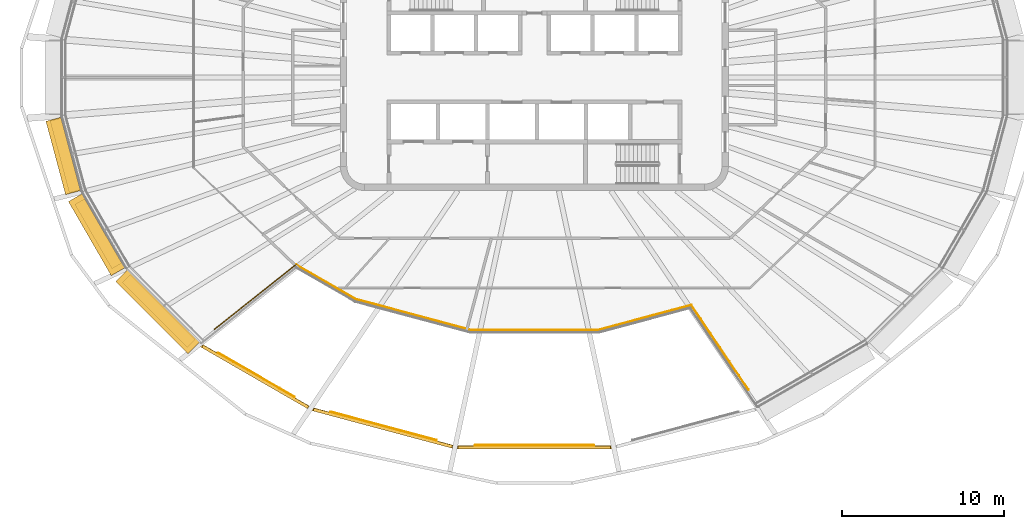
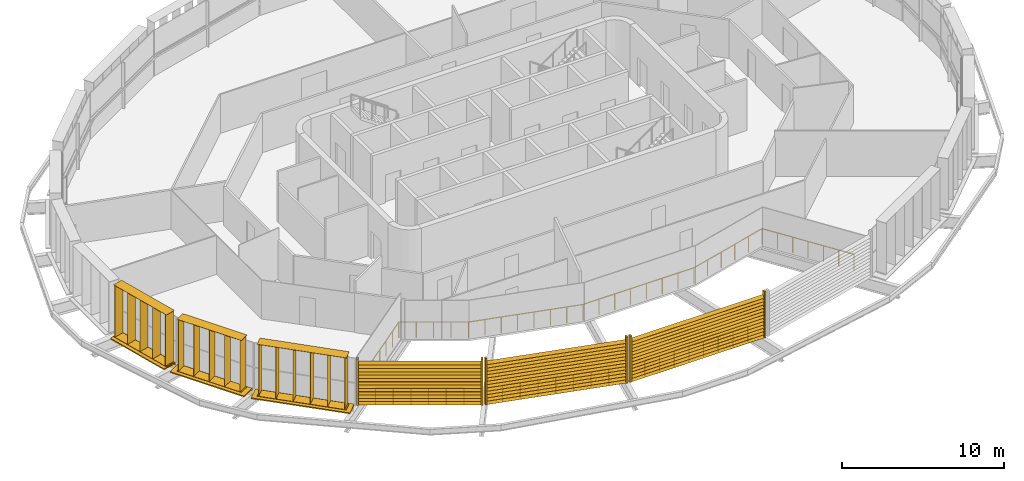
# One storey, part 14 of 19: 9 shading devices, 5 railings.
"""IFC4 building model written with IfcOpenShell, lengths in metres."""

from ifc_helpers import new_model, si_unit, direction, frame, origin, origin_2d, place, context, subcontext, project, spatial, rectangle, circle, extrude, material, type_object, element, save


model = new_model("IFC4")

# Units and contexts
model_context = context("Model", 3, precision=1e-05, world=origin(), true_north=direction((0.0, 1.0)))
body_context = subcontext(model_context, "Body", "Model", "MODEL_VIEW")
ifc_project = project(units=[si_unit("LENGTHUNIT", "METRE"), si_unit("AREAUNIT", "SQUARE_METRE"), si_unit("VOLUMEUNIT", "CUBIC_METRE"), si_unit("PLANEANGLEUNIT", "RADIAN"), si_unit("MASSUNIT", "GRAM", prefix="KILO")], contexts=[model_context])

# Site, building, storey
site_placement = place(None, origin())
site = spatial("IfcSite", under=ifc_project, at=site_placement, CompositionType="ELEMENT")
building_placement = place(site_placement, origin())
building = spatial("IfcBuilding", under=site, at=building_placement, Name="Sahrelin Media Tower", CompositionType="ELEMENT")
storey_placement = place(building_placement, frame((0.0, 0.0, 279.0)))
storey = spatial("IfcBuildingStorey", under=building, at=storey_placement, Name="L61", CompositionType="ELEMENT", Elevation=279.0)

# Shading devices
ifc_material_1 = material(Name="Champagne anodised aluminium 6063-T6", Category="aluminium")
shading_device_type_1 = type_object("IfcShadingDeviceType", Name="Fin cassette", PredefinedType="USERDEFINED", material=ifc_material_1)
placement_1 = place(storey_placement, frame((-28.601318359375, -4.712646484375, 0.0), z_axis=(0.0, 0.0, 1.0), x_axis=(-0.258807731996, 0.965928857556, 0.0)))
element("IfcShadingDevice", 1, at=placement_1, inside=storey, type_object=shading_device_type_1, Name="L61:FIN:L61-13", ObjectType="FIN", PredefinedType="USERDEFINED", context=body_context, shape_type="SweptSolid", body=[
    extrude(rectangle(XDim=4.60009765625, YDim=0.699951171875, at=origin_2d()), frame((0.0, 0.419921875, 0.0)), (0.0, 0.0, 1.0), 0.02001953125),
    extrude(rectangle(XDim=4.60009765625, YDim=0.699951171875, at=origin_2d()), frame((0.0, 0.419921875, 3.89990234375)), (0.0, 0.0, 1.0), 0.02001953125),
    extrude(rectangle(XDim=0.02001953125, YDim=0.699951171875, at=origin_2d()), frame((-2.199951171875, 0.419921875, 0.010009765625), z_axis=(0.0, 0.0, 1.0), x_axis=(1.0, 0.0, 0.0)), (0.0, 0.0, 1.0), 3.89990234375),
    extrude(rectangle(XDim=0.02001953125, YDim=0.699951171875, at=origin_2d()), frame((-1.10009765625, 0.419921875, 0.010009765625), z_axis=(0.0, 0.0, 1.0), x_axis=(1.0, 0.0, 0.0)), (0.0, 0.0, 1.0), 3.89990234375),
    extrude(rectangle(XDim=0.02001953125, YDim=0.699951171875, at=origin_2d()), frame((0.0, 0.419921875, 0.010009765625), z_axis=(0.0, 0.0, 1.0), x_axis=(1.0, 0.0, 0.0)), (0.0, 0.0, 1.0), 3.89990234375),
    extrude(rectangle(XDim=0.02001953125, YDim=0.699951171875, at=origin_2d()), frame((1.10009765625, 0.419921875, 0.010009765625), z_axis=(0.0, 0.0, 1.0), x_axis=(1.0, 0.0, 0.0)), (0.0, 0.0, 1.0), 3.89990234375),
    extrude(rectangle(XDim=0.02001953125, YDim=0.699951171875, at=origin_2d()), frame((2.199951171875, 0.419921875, 0.010009765625), z_axis=(0.0, 0.0, 1.0), x_axis=(1.0, 0.0, 0.0)), (0.0, 0.0, 1.0), 3.89990234375),
])
placement_2 = place(storey_placement, frame((-26.595703125, -9.452392578125, 0.0), z_axis=(0.0, 0.0, 1.0), x_axis=(-0.500011000363, 0.866019052629, 0.0)))
element("IfcShadingDevice", 2, at=placement_2, inside=storey, type_object=shading_device_type_1, Name="L61:FIN:L61-14", ObjectType="FIN", PredefinedType="USERDEFINED", context=body_context, shape_type="SweptSolid", body=[
    extrude(rectangle(XDim=4.60009765625, YDim=0.699951171875, at=origin_2d()), frame((0.0, 0.419921875, 0.0)), (0.0, 0.0, 1.0), 0.02001953125),
    extrude(rectangle(XDim=4.60009765625, YDim=0.699951171875, at=origin_2d()), frame((0.0, 0.419921875, 3.89990234375)), (0.0, 0.0, 1.0), 0.02001953125),
    extrude(rectangle(XDim=0.02001953125, YDim=0.699951171875, at=origin_2d()), frame((-2.199951171875, 0.419921875, 0.010009765625), z_axis=(0.0, 0.0, 1.0), x_axis=(1.0, 0.0, 0.0)), (0.0, 0.0, 1.0), 3.89990234375),
    extrude(rectangle(XDim=0.02001953125, YDim=0.699951171875, at=origin_2d()), frame((-1.10009765625, 0.419921875, 0.010009765625), z_axis=(0.0, 0.0, 1.0), x_axis=(1.0, 0.0, 0.0)), (0.0, 0.0, 1.0), 3.89990234375),
    extrude(rectangle(XDim=0.02001953125, YDim=0.699951171875, at=origin_2d()), frame((0.0, 0.419921875, 0.010009765625), z_axis=(0.0, 0.0, 1.0), x_axis=(1.0, 0.0, 0.0)), (0.0, 0.0, 1.0), 3.89990234375),
    extrude(rectangle(XDim=0.02001953125, YDim=0.699951171875, at=origin_2d()), frame((1.10009765625, 0.419921875, 0.010009765625), z_axis=(0.0, 0.0, 1.0), x_axis=(1.0, 0.0, 0.0)), (0.0, 0.0, 1.0), 3.89990234375),
    extrude(rectangle(XDim=0.02001953125, YDim=0.699951171875, at=origin_2d()), frame((2.199951171875, 0.419921875, 0.010009765625), z_axis=(0.0, 0.0, 1.0), x_axis=(1.0, 0.0, 0.0)), (0.0, 0.0, 1.0), 3.89990234375),
])
placement_3 = place(storey_placement, frame((-22.919189453125, -14.133544921875, 0.0), z_axis=(0.0, 0.0, 1.0), x_axis=(-0.707106781187, 0.707106781187, 0.0)))
element("IfcShadingDevice", 3, at=placement_3, inside=storey, type_object=shading_device_type_1, Name="L61:FIN:L61-15", ObjectType="FIN", PredefinedType="USERDEFINED", context=body_context, shape_type="SweptSolid", body=[
    extrude(rectangle(XDim=5.699951171875, YDim=0.699951171875, at=origin_2d()), frame((0.0, 0.419921875, 0.0)), (0.0, 0.0, 1.0), 0.02001953125),
    extrude(rectangle(XDim=5.699951171875, YDim=0.699951171875, at=origin_2d()), frame((0.0, 0.419921875, 3.89990234375)), (0.0, 0.0, 1.0), 0.02001953125),
    extrude(rectangle(XDim=0.02001953125, YDim=0.699951171875, at=origin_2d()), frame((-2.75, 0.419921875, 0.010009765625), z_axis=(0.0, 0.0, 1.0), x_axis=(1.0, 0.0, 0.0)), (0.0, 0.0, 1.0), 3.89990234375),
    extrude(rectangle(XDim=0.02001953125, YDim=0.699951171875, at=origin_2d()), frame((-1.64990234375, 0.419921875, 0.010009765625), z_axis=(0.0, 0.0, 1.0), x_axis=(1.0, 0.0, 0.0)), (0.0, 0.0, 1.0), 3.89990234375),
    extrude(rectangle(XDim=0.02001953125, YDim=0.699951171875, at=origin_2d()), frame((-0.550048828125, 0.419921875, 0.010009765625), z_axis=(0.0, 0.0, 1.0), x_axis=(1.0, 0.0, 0.0)), (0.0, 0.0, 1.0), 3.89990234375),
    extrude(rectangle(XDim=0.02001953125, YDim=0.699951171875, at=origin_2d()), frame((0.550048828125, 0.419921875, 0.010009765625), z_axis=(0.0, 0.0, 1.0), x_axis=(1.0, 0.0, 0.0)), (0.0, 0.0, 1.0), 3.89990234375),
    extrude(rectangle(XDim=0.02001953125, YDim=0.699951171875, at=origin_2d()), frame((1.64990234375, 0.419921875, 0.010009765625), z_axis=(0.0, 0.0, 1.0), x_axis=(1.0, 0.0, 0.0)), (0.0, 0.0, 1.0), 3.89990234375),
    extrude(rectangle(XDim=0.02001953125, YDim=0.699951171875, at=origin_2d()), frame((2.75, 0.419921875, 0.010009765625), z_axis=(0.0, 0.0, 1.0), x_axis=(1.0, 0.0, 0.0)), (0.0, 0.0, 1.0), 3.89990234375),
])
shading_device_type_2 = type_object("IfcShadingDeviceType", Name="Garden screen", PredefinedType="USERDEFINED", material=ifc_material_1)
shading_device_4_placement = place(storey_placement, frame((-17.198974609375, -18.41015625, 0.0), z_axis=(0.0, 0.0, 1.0), x_axis=(-0.866019052629, 0.500011000363, 0.0)))
element("IfcShadingDevice", 4, at=shading_device_4_placement, inside=storey, type_object=shading_device_type_2, Name="L61:SCREEN:L61-16", ObjectType="SCREEN", PredefinedType="USERDEFINED", context=body_context, shape_type="SweptSolid", body=[
    extrude(rectangle(XDim=0.1201171875, YDim=0.199951171875, at=origin_2d()), frame((3.834716796875, 0.10009765625, 0.050048828125), z_axis=(0.0, 0.0, 1.0), x_axis=(1.0, 0.0, 0.0)), (0.0, 0.0, 1.0), 3.49853515625),
    extrude(rectangle(XDim=0.1201171875, YDim=0.199951171875, at=origin_2d()), frame((-3.834716796875, 0.10009765625, 0.050048828125), z_axis=(0.0, 0.0, 1.0), x_axis=(1.0, 0.0, 0.0)), (0.0, 0.0, 1.0), 3.49853515625),
    extrude(rectangle(XDim=0.25, YDim=0.02001953125, at=origin_2d()), frame((3.774658203125, 0.10009765625, 0.14990234375), z_axis=(-1.0, 0.0, 0.0), x_axis=(0.0, -0.766044443119, 0.642787609687)), (0.0, 0.0, 1.0), 7.54931640625),
    extrude(rectangle(XDim=0.25, YDim=0.02001953125, at=origin_2d()), frame((3.774658203125, 0.10009765625, 0.39990234375), z_axis=(-1.0, 0.0, 0.0), x_axis=(0.0, -0.766044443119, 0.642787609687)), (0.0, 0.0, 1.0), 7.54931640625),
    extrude(rectangle(XDim=0.25, YDim=0.02001953125, at=origin_2d()), frame((3.774658203125, 0.10009765625, 0.64990234375), z_axis=(-1.0, 0.0, 0.0), x_axis=(0.0, -0.766044443119, 0.642787609687)), (0.0, 0.0, 1.0), 7.54931640625),
    extrude(rectangle(XDim=0.25, YDim=0.02001953125, at=origin_2d()), frame((3.774658203125, 0.10009765625, 0.89990234375), z_axis=(-1.0, 0.0, 0.0), x_axis=(0.0, -0.766044443119, 0.642787609687)), (0.0, 0.0, 1.0), 7.54931640625),
    extrude(rectangle(XDim=0.25, YDim=0.02001953125, at=origin_2d()), frame((3.774658203125, 0.10009765625, 1.14990234375), z_axis=(-1.0, 0.0, 0.0), x_axis=(0.0, -0.766044443119, 0.642787609687)), (0.0, 0.0, 1.0), 7.54931640625),
    extrude(rectangle(XDim=0.25, YDim=0.02001953125, at=origin_2d()), frame((3.774658203125, 0.10009765625, 1.39990234375), z_axis=(-1.0, 0.0, 0.0), x_axis=(0.0, -0.766044443119, 0.642787609687)), (0.0, 0.0, 1.0), 7.54931640625),
    extrude(rectangle(XDim=0.25, YDim=0.02001953125, at=origin_2d()), frame((3.774658203125, 0.10009765625, 1.64990234375), z_axis=(-1.0, 0.0, 0.0), x_axis=(0.0, -0.766044443119, 0.642787609687)), (0.0, 0.0, 1.0), 7.54931640625),
    extrude(rectangle(XDim=0.25, YDim=0.02001953125, at=origin_2d()), frame((3.774658203125, 0.10009765625, 1.89990234375), z_axis=(-1.0, 0.0, 0.0), x_axis=(0.0, -0.766044443119, 0.642787609687)), (0.0, 0.0, 1.0), 7.54931640625),
    extrude(rectangle(XDim=0.25, YDim=0.02001953125, at=origin_2d()), frame((3.774658203125, 0.10009765625, 2.14990234375), z_axis=(-1.0, 0.0, 0.0), x_axis=(0.0, -0.766044443119, 0.642787609687)), (0.0, 0.0, 1.0), 7.54931640625),
    extrude(rectangle(XDim=0.25, YDim=0.02001953125, at=origin_2d()), frame((3.774658203125, 0.10009765625, 2.39990234375), z_axis=(-1.0, 0.0, 0.0), x_axis=(0.0, -0.766044443119, 0.642787609687)), (0.0, 0.0, 1.0), 7.54931640625),
    extrude(rectangle(XDim=0.25, YDim=0.02001953125, at=origin_2d()), frame((3.774658203125, 0.10009765625, 2.64990234375), z_axis=(-1.0, 0.0, 0.0), x_axis=(0.0, -0.766044443119, 0.642787609687)), (0.0, 0.0, 1.0), 7.54931640625),
    extrude(rectangle(XDim=0.25, YDim=0.02001953125, at=origin_2d()), frame((3.774658203125, 0.10009765625, 2.89990234375), z_axis=(-1.0, 0.0, 0.0), x_axis=(0.0, -0.766044443119, 0.642787609687)), (0.0, 0.0, 1.0), 7.54931640625),
    extrude(rectangle(XDim=0.25, YDim=0.02001953125, at=origin_2d()), frame((3.774658203125, 0.10009765625, 3.14990234375), z_axis=(-1.0, 0.0, 0.0), x_axis=(0.0, -0.766044443119, 0.642787609687)), (0.0, 0.0, 1.0), 7.54931640625),
])
shading_device_5_placement = place(storey_placement, frame((-9.3359375, -21.573974609375, 0.0), z_axis=(0.0, 0.0, 1.0), x_axis=(-0.965928857556, 0.258807731996, 0.0)))
element("IfcShadingDevice", 5, at=shading_device_5_placement, inside=storey, type_object=shading_device_type_2, Name="L61:SCREEN:L61-17", ObjectType="SCREEN", PredefinedType="USERDEFINED", context=body_context, shape_type="SweptSolid", body=[
    extrude(rectangle(XDim=0.1201171875, YDim=0.199951171875, at=origin_2d()), frame((4.493896484375, 0.10009765625, 0.050048828125), z_axis=(0.0, 0.0, 1.0), x_axis=(1.0, 0.0, 0.0)), (0.0, 0.0, 1.0), 3.49853515625),
    extrude(rectangle(XDim=0.1201171875, YDim=0.199951171875, at=origin_2d()), frame((-4.493896484375, 0.10009765625, 0.050048828125), z_axis=(0.0, 0.0, 1.0), x_axis=(1.0, 0.0, 0.0)), (0.0, 0.0, 1.0), 3.49853515625),
    extrude(rectangle(XDim=0.25, YDim=0.02001953125, at=origin_2d()), frame((4.433837890625, 0.10009765625, 0.14990234375), z_axis=(-1.0, 0.0, 0.0), x_axis=(0.0, -0.766044443119, 0.642787609687)), (0.0, 0.0, 1.0), 8.86767578125),
    extrude(rectangle(XDim=0.25, YDim=0.02001953125, at=origin_2d()), frame((4.433837890625, 0.10009765625, 0.39990234375), z_axis=(-1.0, 0.0, 0.0), x_axis=(0.0, -0.766044443119, 0.642787609687)), (0.0, 0.0, 1.0), 8.86767578125),
    extrude(rectangle(XDim=0.25, YDim=0.02001953125, at=origin_2d()), frame((4.433837890625, 0.10009765625, 0.64990234375), z_axis=(-1.0, 0.0, 0.0), x_axis=(0.0, -0.766044443119, 0.642787609687)), (0.0, 0.0, 1.0), 8.86767578125),
    extrude(rectangle(XDim=0.25, YDim=0.02001953125, at=origin_2d()), frame((4.433837890625, 0.10009765625, 0.89990234375), z_axis=(-1.0, 0.0, 0.0), x_axis=(0.0, -0.766044443119, 0.642787609687)), (0.0, 0.0, 1.0), 8.86767578125),
    extrude(rectangle(XDim=0.25, YDim=0.02001953125, at=origin_2d()), frame((4.433837890625, 0.10009765625, 1.14990234375), z_axis=(-1.0, 0.0, 0.0), x_axis=(0.0, -0.766044443119, 0.642787609687)), (0.0, 0.0, 1.0), 8.86767578125),
    extrude(rectangle(XDim=0.25, YDim=0.02001953125, at=origin_2d()), frame((4.433837890625, 0.10009765625, 1.39990234375), z_axis=(-1.0, 0.0, 0.0), x_axis=(0.0, -0.766044443119, 0.642787609687)), (0.0, 0.0, 1.0), 8.86767578125),
    extrude(rectangle(XDim=0.25, YDim=0.02001953125, at=origin_2d()), frame((4.433837890625, 0.10009765625, 1.64990234375), z_axis=(-1.0, 0.0, 0.0), x_axis=(0.0, -0.766044443119, 0.642787609687)), (0.0, 0.0, 1.0), 8.86767578125),
    extrude(rectangle(XDim=0.25, YDim=0.02001953125, at=origin_2d()), frame((4.433837890625, 0.10009765625, 1.89990234375), z_axis=(-1.0, 0.0, 0.0), x_axis=(0.0, -0.766044443119, 0.642787609687)), (0.0, 0.0, 1.0), 8.86767578125),
    extrude(rectangle(XDim=0.25, YDim=0.02001953125, at=origin_2d()), frame((4.433837890625, 0.10009765625, 2.14990234375), z_axis=(-1.0, 0.0, 0.0), x_axis=(0.0, -0.766044443119, 0.642787609687)), (0.0, 0.0, 1.0), 8.86767578125),
    extrude(rectangle(XDim=0.25, YDim=0.02001953125, at=origin_2d()), frame((4.433837890625, 0.10009765625, 2.39990234375), z_axis=(-1.0, 0.0, 0.0), x_axis=(0.0, -0.766044443119, 0.642787609687)), (0.0, 0.0, 1.0), 8.86767578125),
    extrude(rectangle(XDim=0.25, YDim=0.02001953125, at=origin_2d()), frame((4.433837890625, 0.10009765625, 2.64990234375), z_axis=(-1.0, 0.0, 0.0), x_axis=(0.0, -0.766044443119, 0.642787609687)), (0.0, 0.0, 1.0), 8.86767578125),
    extrude(rectangle(XDim=0.25, YDim=0.02001953125, at=origin_2d()), frame((4.433837890625, 0.10009765625, 2.89990234375), z_axis=(-1.0, 0.0, 0.0), x_axis=(0.0, -0.766044443119, 0.642787609687)), (0.0, 0.0, 1.0), 8.86767578125),
    extrude(rectangle(XDim=0.25, YDim=0.02001953125, at=origin_2d()), frame((4.433837890625, 0.10009765625, 3.14990234375), z_axis=(-1.0, 0.0, 0.0), x_axis=(0.0, -0.766044443119, 0.642787609687)), (0.0, 0.0, 1.0), 8.86767578125),
])
shading_device_6_placement = place(storey_placement, frame((0.0, -22.765380859375, 0.0), z_axis=(0.0, 0.0, 1.0), x_axis=(-1.0, 0.0, 0.0)))
element("IfcShadingDevice", 6, at=shading_device_6_placement, inside=storey, type_object=shading_device_type_2, Name="L61:SCREEN:L61-18", ObjectType="SCREEN", PredefinedType="USERDEFINED", context=body_context, shape_type="SweptSolid", body=[
    extrude(rectangle(XDim=0.1201171875, YDim=0.199951171875, at=origin_2d()), frame((4.77880859375, 0.10009765625, 0.050048828125), z_axis=(0.0, 0.0, 1.0), x_axis=(1.0, 0.0, 0.0)), (0.0, 0.0, 1.0), 3.49853515625),
    extrude(rectangle(XDim=0.1201171875, YDim=0.199951171875, at=origin_2d()), frame((-4.77880859375, 0.10009765625, 0.050048828125), z_axis=(0.0, 0.0, 1.0), x_axis=(1.0, 0.0, 0.0)), (0.0, 0.0, 1.0), 3.49853515625),
    extrude(rectangle(XDim=0.25, YDim=0.02001953125, at=origin_2d()), frame((4.718994140625, 0.10009765625, 0.14990234375), z_axis=(-1.0, 0.0, 0.0), x_axis=(0.0, -0.766044443119, 0.642787609687)), (0.0, 0.0, 1.0), 9.43798828125),
    extrude(rectangle(XDim=0.25, YDim=0.02001953125, at=origin_2d()), frame((4.718994140625, 0.10009765625, 0.39990234375), z_axis=(-1.0, 0.0, 0.0), x_axis=(0.0, -0.766044443119, 0.642787609687)), (0.0, 0.0, 1.0), 9.43798828125),
    extrude(rectangle(XDim=0.25, YDim=0.02001953125, at=origin_2d()), frame((4.718994140625, 0.10009765625, 0.64990234375), z_axis=(-1.0, 0.0, 0.0), x_axis=(0.0, -0.766044443119, 0.642787609687)), (0.0, 0.0, 1.0), 9.43798828125),
    extrude(rectangle(XDim=0.25, YDim=0.02001953125, at=origin_2d()), frame((4.718994140625, 0.10009765625, 0.89990234375), z_axis=(-1.0, 0.0, 0.0), x_axis=(0.0, -0.766044443119, 0.642787609687)), (0.0, 0.0, 1.0), 9.43798828125),
    extrude(rectangle(XDim=0.25, YDim=0.02001953125, at=origin_2d()), frame((4.718994140625, 0.10009765625, 1.14990234375), z_axis=(-1.0, 0.0, 0.0), x_axis=(0.0, -0.766044443119, 0.642787609687)), (0.0, 0.0, 1.0), 9.43798828125),
    extrude(rectangle(XDim=0.25, YDim=0.02001953125, at=origin_2d()), frame((4.718994140625, 0.10009765625, 1.39990234375), z_axis=(-1.0, 0.0, 0.0), x_axis=(0.0, -0.766044443119, 0.642787609687)), (0.0, 0.0, 1.0), 9.43798828125),
    extrude(rectangle(XDim=0.25, YDim=0.02001953125, at=origin_2d()), frame((4.718994140625, 0.10009765625, 1.64990234375), z_axis=(-1.0, 0.0, 0.0), x_axis=(0.0, -0.766044443119, 0.642787609687)), (0.0, 0.0, 1.0), 9.43798828125),
    extrude(rectangle(XDim=0.25, YDim=0.02001953125, at=origin_2d()), frame((4.718994140625, 0.10009765625, 1.89990234375), z_axis=(-1.0, 0.0, 0.0), x_axis=(0.0, -0.766044443119, 0.642787609687)), (0.0, 0.0, 1.0), 9.43798828125),
    extrude(rectangle(XDim=0.25, YDim=0.02001953125, at=origin_2d()), frame((4.718994140625, 0.10009765625, 2.14990234375), z_axis=(-1.0, 0.0, 0.0), x_axis=(0.0, -0.766044443119, 0.642787609687)), (0.0, 0.0, 1.0), 9.43798828125),
    extrude(rectangle(XDim=0.25, YDim=0.02001953125, at=origin_2d()), frame((4.718994140625, 0.10009765625, 2.39990234375), z_axis=(-1.0, 0.0, 0.0), x_axis=(0.0, -0.766044443119, 0.642787609687)), (0.0, 0.0, 1.0), 9.43798828125),
    extrude(rectangle(XDim=0.25, YDim=0.02001953125, at=origin_2d()), frame((4.718994140625, 0.10009765625, 2.64990234375), z_axis=(-1.0, 0.0, 0.0), x_axis=(0.0, -0.766044443119, 0.642787609687)), (0.0, 0.0, 1.0), 9.43798828125),
    extrude(rectangle(XDim=0.25, YDim=0.02001953125, at=origin_2d()), frame((4.718994140625, 0.10009765625, 2.89990234375), z_axis=(-1.0, 0.0, 0.0), x_axis=(0.0, -0.766044443119, 0.642787609687)), (0.0, 0.0, 1.0), 9.43798828125),
    extrude(rectangle(XDim=0.25, YDim=0.02001953125, at=origin_2d()), frame((4.718994140625, 0.10009765625, 3.14990234375), z_axis=(-1.0, 0.0, 0.0), x_axis=(0.0, -0.766044443119, 0.642787609687)), (0.0, 0.0, 1.0), 9.43798828125),
])

# Railings
ifc_material_2 = material(Name="Stainless steel 316", Category="steel")
railing_type = type_object("IfcRailingType", Name="Sky garden guard", PredefinedType="GUARDRAIL", material=ifc_material_2)
railing_1_placement = place(storey_placement, frame((-14.7490234375, -11.568603515625, 0.0)))
element("IfcRailing", 7, at=railing_1_placement, inside=storey, type_object=railing_type, Name="Sky garden void guard G5-1", PredefinedType="GUARDRAIL", context=body_context, shape_type="SweptSolid", body=[
    extrude(circle(Radius=0.02392578125, at=origin_2d()), frame((0.0, 0.0, 1.17578125), z_axis=(0.866062745931, -0.499935315926, 0.0), x_axis=(0.499935315926, 0.866062745931, 0.0)), (0.0, 0.0, 1.0), 4.30224609375),
    extrude(circle(Radius=0.02392578125, at=origin_2d()), frame((3.72607421875, -2.15087890625, 1.17578125), z_axis=(0.965921122891, -0.258836597784, 0.0), x_axis=(0.258836597784, 0.965921122891, 0.0)), (0.0, 0.0, 1.0), 7.324951171875),
    extrude(circle(Radius=0.02392578125, at=origin_2d()), frame((10.801513671875, -4.046875, 1.17578125), z_axis=(1.0, 0.0, 0.0), x_axis=(0.0, 1.0, 0.0)), (0.0, 0.0, 1.0), 7.89501953125),
    extrude(circle(Radius=0.02392578125, at=origin_2d()), frame((18.696533203125, -4.046875, 1.17578125), z_axis=(0.965934141543, 0.258788010158, 0.0), x_axis=(-0.258788010158, 0.965934141543, 0.0)), (0.0, 0.0, 1.0), 5.953857421875),
    extrude(circle(Radius=0.02392578125, at=origin_2d()), frame((24.447509765625, -2.506103515625, 1.17578125), z_axis=(0.560163317348, -0.828382193132, 0.0), x_axis=(0.828382193132, 0.560163317348, 0.0)), (0.0, 0.0, 1.0), 6.307861328125),
    extrude(circle(Radius=0.02099609375, at=origin_2d()), origin(), (0.0, 0.0, 1.0), 1.15185546875),
    extrude(circle(Radius=0.02099609375, at=origin_2d()), frame((0.931640625, -0.53759765625, 0.0)), (0.0, 0.0, 1.0), 1.15185546875),
    extrude(circle(Radius=0.02099609375, at=origin_2d()), frame((1.863037109375, -1.075439453125, 0.0)), (0.0, 0.0, 1.0), 1.15185546875),
    extrude(circle(Radius=0.02099609375, at=origin_2d()), frame((2.79443359375, -1.61328125, 0.0)), (0.0, 0.0, 1.0), 1.15185546875),
    extrude(circle(Radius=0.02099609375, at=origin_2d()), frame((3.72607421875, -2.15087890625, 0.0)), (0.0, 0.0, 1.0), 1.15185546875),
    extrude(circle(Radius=0.02099609375, at=origin_2d()), frame((4.73681640625, -2.421630859375, 0.0)), (0.0, 0.0, 1.0), 1.15185546875),
    extrude(circle(Radius=0.02099609375, at=origin_2d()), frame((5.74755859375, -2.692626953125, 0.0)), (0.0, 0.0, 1.0), 1.15185546875),
    extrude(circle(Radius=0.02099609375, at=origin_2d()), frame((6.75830078125, -2.96337890625, 0.0)), (0.0, 0.0, 1.0), 1.15185546875),
    extrude(circle(Radius=0.02099609375, at=origin_2d()), frame((7.769287109375, -3.234375, 0.0)), (0.0, 0.0, 1.0), 1.15185546875),
    extrude(circle(Radius=0.02099609375, at=origin_2d()), frame((8.780029296875, -3.505126953125, 0.0)), (0.0, 0.0, 1.0), 1.15185546875),
    extrude(circle(Radius=0.02099609375, at=origin_2d()), frame((9.790771484375, -3.776123046875, 0.0)), (0.0, 0.0, 1.0), 1.15185546875),
    extrude(circle(Radius=0.02099609375, at=origin_2d()), frame((10.801513671875, -4.046875, 0.0)), (0.0, 0.0, 1.0), 1.15185546875),
    extrude(circle(Radius=0.02099609375, at=origin_2d()), frame((11.929443359375, -4.046875, 0.0)), (0.0, 0.0, 1.0), 1.15185546875),
    extrude(circle(Radius=0.02099609375, at=origin_2d()), frame((13.05712890625, -4.046875, 0.0)), (0.0, 0.0, 1.0), 1.15185546875),
    extrude(circle(Radius=0.02099609375, at=origin_2d()), frame((14.18505859375, -4.046875, 0.0)), (0.0, 0.0, 1.0), 1.15185546875),
    extrude(circle(Radius=0.02099609375, at=origin_2d()), frame((15.31298828125, -4.046875, 0.0)), (0.0, 0.0, 1.0), 1.15185546875),
    extrude(circle(Radius=0.02099609375, at=origin_2d()), frame((16.44091796875, -4.046875, 0.0)), (0.0, 0.0, 1.0), 1.15185546875),
    extrude(circle(Radius=0.02099609375, at=origin_2d()), frame((17.568603515625, -4.046875, 0.0)), (0.0, 0.0, 1.0), 1.15185546875),
    extrude(circle(Radius=0.02099609375, at=origin_2d()), frame((18.696533203125, -4.046875, 0.0)), (0.0, 0.0, 1.0), 1.15185546875),
    extrude(circle(Radius=0.02099609375, at=origin_2d()), frame((19.8466796875, -3.73876953125, 0.0)), (0.0, 0.0, 1.0), 1.15185546875),
    extrude(circle(Radius=0.02099609375, at=origin_2d()), frame((20.996826171875, -3.4306640625, 0.0)), (0.0, 0.0, 1.0), 1.15185546875),
    extrude(circle(Radius=0.02099609375, at=origin_2d()), frame((22.147216796875, -3.122314453125, 0.0)), (0.0, 0.0, 1.0), 1.15185546875),
    extrude(circle(Radius=0.02099609375, at=origin_2d()), frame((23.29736328125, -2.814208984375, 0.0)), (0.0, 0.0, 1.0), 1.15185546875),
    extrude(circle(Radius=0.02099609375, at=origin_2d()), frame((24.447509765625, -2.506103515625, 0.0)), (0.0, 0.0, 1.0), 1.15185546875),
    extrude(circle(Radius=0.02099609375, at=origin_2d()), frame((25.036376953125, -3.376953125, 0.0)), (0.0, 0.0, 1.0), 1.15185546875),
    extrude(circle(Radius=0.02099609375, at=origin_2d()), frame((25.625244140625, -4.247802734375, 0.0)), (0.0, 0.0, 1.0), 1.15185546875),
    extrude(circle(Radius=0.02099609375, at=origin_2d()), frame((26.21435546875, -5.11865234375, 0.0)), (0.0, 0.0, 1.0), 1.15185546875),
    extrude(circle(Radius=0.02099609375, at=origin_2d()), frame((26.80322265625, -5.98974609375, 0.0)), (0.0, 0.0, 1.0), 1.15185546875),
    extrude(circle(Radius=0.02099609375, at=origin_2d()), frame((27.39208984375, -6.860595703125, 0.0)), (0.0, 0.0, 1.0), 1.15185546875),
    extrude(circle(Radius=0.02099609375, at=origin_2d()), frame((27.98095703125, -7.7314453125, 0.0)), (0.0, 0.0, 1.0), 1.15185546875),
])
railing_2_placement = place(storey_placement, frame((3.671142578125, -22.742919921875, 0.0)))
element("IfcRailing", 8, at=railing_2_placement, inside=storey, type_object=railing_type, Name="Sky garden void guard G5-3", PredefinedType="GUARDRAIL", context=body_context, shape_type="SweptSolid", body=[
    extrude(circle(Radius=0.02392578125, at=origin_2d()), frame((0.0, 0.0, 1.17578125), z_axis=(-1.0, 0.0, 0.0), x_axis=(0.0, -1.0, 0.0)), (0.0, 0.0, 1.0), 7.34228515625),
    extrude(circle(Radius=0.02099609375, at=origin_2d()), origin(), (0.0, 0.0, 1.0), 1.15185546875),
    extrude(circle(Radius=0.02099609375, at=origin_2d()), frame((-1.048828125, 0.0, 0.0)), (0.0, 0.0, 1.0), 1.15185546875),
    extrude(circle(Radius=0.02099609375, at=origin_2d()), frame((-2.097900390625, 0.0, 0.0)), (0.0, 0.0, 1.0), 1.15185546875),
    extrude(circle(Radius=0.02099609375, at=origin_2d()), frame((-3.146728515625, 0.0, 0.0)), (0.0, 0.0, 1.0), 1.15185546875),
    extrude(circle(Radius=0.02099609375, at=origin_2d()), frame((-4.195556640625, 0.0, 0.0)), (0.0, 0.0, 1.0), 1.15185546875),
    extrude(circle(Radius=0.02099609375, at=origin_2d()), frame((-5.244384765625, 0.0, 0.0)), (0.0, 0.0, 1.0), 1.15185546875),
    extrude(circle(Radius=0.02099609375, at=origin_2d()), frame((-6.29345703125, 0.0, 0.0)), (0.0, 0.0, 1.0), 1.15185546875),
    extrude(circle(Radius=0.02099609375, at=origin_2d()), frame((-7.34228515625, 0.0, 0.0)), (0.0, 0.0, 1.0), 1.15185546875),
])
railing_3_placement = place(storey_placement, frame((-6.0556640625, -22.4296875, 0.0)))
element("IfcRailing", 9, at=railing_3_placement, inside=storey, type_object=railing_type, Name="Sky garden void guard G5-4", PredefinedType="GUARDRAIL", context=body_context, shape_type="SweptSolid", body=[
    extrude(circle(Radius=0.02392578125, at=origin_2d()), frame((0.0, 0.0, 1.17578125), z_axis=(-0.9659221657, 0.258832706221, 0.0), x_axis=(-0.258832706221, -0.9659221657, 0.0)), (0.0, 0.0, 1.0), 6.778076171875),
    extrude(circle(Radius=0.02099609375, at=origin_2d()), origin(), (0.0, 0.0, 1.0), 1.15185546875),
    extrude(circle(Radius=0.02099609375, at=origin_2d()), frame((-1.09130859375, 0.29248046875, 0.0)), (0.0, 0.0, 1.0), 1.15185546875),
    extrude(circle(Radius=0.02099609375, at=origin_2d()), frame((-2.182373046875, 0.584716796875, 0.0)), (0.0, 0.0, 1.0), 1.15185546875),
    extrude(circle(Radius=0.02099609375, at=origin_2d()), frame((-3.2734375, 0.877197265625, 0.0)), (0.0, 0.0, 1.0), 1.15185546875),
    extrude(circle(Radius=0.02099609375, at=origin_2d()), frame((-4.36474609375, 1.169677734375, 0.0)), (0.0, 0.0, 1.0), 1.15185546875),
    extrude(circle(Radius=0.02099609375, at=origin_2d()), frame((-5.4560546875, 1.4619140625, 0.0)), (0.0, 0.0, 1.0), 1.15185546875),
    extrude(circle(Radius=0.02099609375, at=origin_2d()), frame((-6.547119140625, 1.75439453125, 0.0)), (0.0, 0.0, 1.0), 1.15185546875),
])
railing_4_placement = place(storey_placement, frame((-14.82421875, -19.755126953125, 0.0)))
element("IfcRailing", 10, at=railing_4_placement, inside=storey, type_object=railing_type, Name="Sky garden void guard G5-5", PredefinedType="GUARDRAIL", context=body_context, shape_type="SweptSolid", body=[
    extrude(circle(Radius=0.02392578125, at=origin_2d()), frame((0.0, 0.0, 1.17578125), z_axis=(-0.866035911222, 0.499981800143, 0.0), x_axis=(-0.499981800143, -0.866035911222, 0.0)), (0.0, 0.0, 1.0), 5.459716796875),
    extrude(circle(Radius=0.02099609375, at=origin_2d()), origin(), (0.0, 0.0, 1.0), 1.15185546875),
    extrude(circle(Radius=0.02099609375, at=origin_2d()), frame((-0.945556640625, 0.5458984375, 0.0)), (0.0, 0.0, 1.0), 1.15185546875),
    extrude(circle(Radius=0.02099609375, at=origin_2d()), frame((-1.891357421875, 1.091796875, 0.0)), (0.0, 0.0, 1.0), 1.15185546875),
    extrude(circle(Radius=0.02099609375, at=origin_2d()), frame((-2.8369140625, 1.637939453125, 0.0)), (0.0, 0.0, 1.0), 1.15185546875),
    extrude(circle(Radius=0.02099609375, at=origin_2d()), frame((-3.78271484375, 2.183837890625, 0.0)), (0.0, 0.0, 1.0), 1.15185546875),
    extrude(circle(Radius=0.02099609375, at=origin_2d()), frame((-4.728271484375, 2.729736328125, 0.0)), (0.0, 0.0, 1.0), 1.15185546875),
])
railing_5_placement = place(storey_placement, frame((-19.762939453125, -15.56640625, 0.0)))
element("IfcRailing", 11, at=railing_5_placement, inside=storey, type_object=railing_type, Name="Sky garden void guard G5-6", PredefinedType="GUARDRAIL", context=body_context, shape_type="SweptSolid", body=[
    extrude(circle(Radius=0.02392578125, at=origin_2d()), frame((0.0, 0.0, 1.17578125), z_axis=(0.781881792216, 0.623426710208, 0.0), x_axis=(-0.623426710208, 0.781881792216, 0.0)), (0.0, 0.0, 1.0), 6.41259765625),
    extrude(circle(Radius=0.02099609375, at=origin_2d()), origin(), (0.0, 0.0, 1.0), 1.15185546875),
    extrude(circle(Radius=0.02099609375, at=origin_2d()), frame((0.835693359375, 0.666259765625, 0.0)), (0.0, 0.0, 1.0), 1.15185546875),
    extrude(circle(Radius=0.02099609375, at=origin_2d()), frame((1.67138671875, 1.33251953125, 0.0)), (0.0, 0.0, 1.0), 1.15185546875),
    extrude(circle(Radius=0.02099609375, at=origin_2d()), frame((2.5068359375, 1.9990234375, 0.0)), (0.0, 0.0, 1.0), 1.15185546875),
    extrude(circle(Radius=0.02099609375, at=origin_2d()), frame((3.342529296875, 2.665283203125, 0.0)), (0.0, 0.0, 1.0), 1.15185546875),
    extrude(circle(Radius=0.02099609375, at=origin_2d()), frame((4.17822265625, 3.33154296875, 0.0)), (0.0, 0.0, 1.0), 1.15185546875),
    extrude(circle(Radius=0.02099609375, at=origin_2d()), frame((5.013916015625, 3.997802734375, 0.0)), (0.0, 0.0, 1.0), 1.15185546875),
])

# Shading devices
shading_device_type_3 = type_object("IfcShadingDeviceType", Name="Sunshade band", PredefinedType="USERDEFINED", material=ifc_material_1)
element("IfcShadingDevice", 12, at=placement_1, inside=storey, type_object=shading_device_type_3, Name="L61:SUN:L61-13", ObjectType="SUNSHADE", PredefinedType="USERDEFINED", context=body_context, shape_type="SweptSolid", body=[
    extrude(rectangle(XDim=4.6923828125, YDim=0.050048828125, at=origin_2d()), frame((0.0, 0.044921875, -0.55126953125)), (0.0, 0.0, 1.0), 0.471435546875),
    extrude(rectangle(XDim=4.6923828125, YDim=1.0, at=origin_2d()), frame((0.0, 0.52001953125, -0.080078125)), (0.0, 0.0, 1.0), 0.080078125),
    extrude(rectangle(XDim=0.10009765625, YDim=0.074951171875, at=origin_2d()), frame((-2.24609375, -0.017578125, -0.47021484375)), (0.0, 0.0, 1.0), 0.300048828125),
    extrude(rectangle(XDim=0.10009765625, YDim=0.074951171875, at=origin_2d()), frame((-0.748779296875, -0.017578125, -0.47021484375)), (0.0, 0.0, 1.0), 0.300048828125),
    extrude(rectangle(XDim=0.10009765625, YDim=0.074951171875, at=origin_2d()), frame((0.748779296875, -0.017578125, -0.47021484375)), (0.0, 0.0, 1.0), 0.300048828125),
    extrude(rectangle(XDim=0.10009765625, YDim=0.074951171875, at=origin_2d()), frame((2.24609375, -0.017578125, -0.47021484375)), (0.0, 0.0, 1.0), 0.300048828125),
])
element("IfcShadingDevice", 13, at=placement_2, inside=storey, type_object=shading_device_type_3, Name="L61:SUN:L61-14", ObjectType="SUNSHADE", PredefinedType="USERDEFINED", context=body_context, shape_type="SweptSolid", body=[
    extrude(rectangle(XDim=5.289306640625, YDim=0.050048828125, at=origin_2d()), frame((0.0, 0.044921875, -0.55126953125)), (0.0, 0.0, 1.0), 0.471435546875),
    extrude(rectangle(XDim=5.289306640625, YDim=1.0, at=origin_2d()), frame((0.0, 0.52001953125, -0.080078125)), (0.0, 0.0, 1.0), 0.080078125),
    extrude(rectangle(XDim=0.10009765625, YDim=0.074951171875, at=origin_2d()), frame((-2.544677734375, -0.017578125, -0.47021484375)), (0.0, 0.0, 1.0), 0.300048828125),
    extrude(rectangle(XDim=0.10009765625, YDim=0.074951171875, at=origin_2d()), frame((-0.84814453125, -0.017578125, -0.47021484375)), (0.0, 0.0, 1.0), 0.300048828125),
    extrude(rectangle(XDim=0.10009765625, YDim=0.074951171875, at=origin_2d()), frame((0.84814453125, -0.017578125, -0.47021484375)), (0.0, 0.0, 1.0), 0.300048828125),
    extrude(rectangle(XDim=0.10009765625, YDim=0.074951171875, at=origin_2d()), frame((2.544677734375, -0.017578125, -0.47021484375)), (0.0, 0.0, 1.0), 0.300048828125),
])
element("IfcShadingDevice", 14, at=placement_3, inside=storey, type_object=shading_device_type_3, Name="L61:SUN:L61-15", ObjectType="SUNSHADE", PredefinedType="USERDEFINED", context=body_context, shape_type="SweptSolid", body=[
    extrude(rectangle(XDim=6.317138671875, YDim=0.050048828125, at=origin_2d()), frame((0.0, 0.044921875, -0.55126953125)), (0.0, 0.0, 1.0), 0.471435546875),
    extrude(rectangle(XDim=6.317138671875, YDim=1.0, at=origin_2d()), frame((0.0, 0.52001953125, -0.080078125)), (0.0, 0.0, 1.0), 0.080078125),
    extrude(rectangle(XDim=0.10009765625, YDim=0.074951171875, at=origin_2d()), frame((-3.05859375, -0.017578125, -0.47021484375)), (0.0, 0.0, 1.0), 0.300048828125),
    extrude(rectangle(XDim=0.10009765625, YDim=0.074951171875, at=origin_2d()), frame((-1.529296875, -0.017578125, -0.47021484375)), (0.0, 0.0, 1.0), 0.300048828125),
    extrude(rectangle(XDim=0.10009765625, YDim=0.074951171875, at=origin_2d()), frame((0.0, -0.017578125, -0.47021484375)), (0.0, 0.0, 1.0), 0.300048828125),
    extrude(rectangle(XDim=0.10009765625, YDim=0.074951171875, at=origin_2d()), frame((1.529296875, -0.017578125, -0.47021484375)), (0.0, 0.0, 1.0), 0.300048828125),
    extrude(rectangle(XDim=0.10009765625, YDim=0.074951171875, at=origin_2d()), frame((3.05859375, -0.017578125, -0.47021484375)), (0.0, 0.0, 1.0), 0.300048828125),
])

save(model, "model.ifc")
